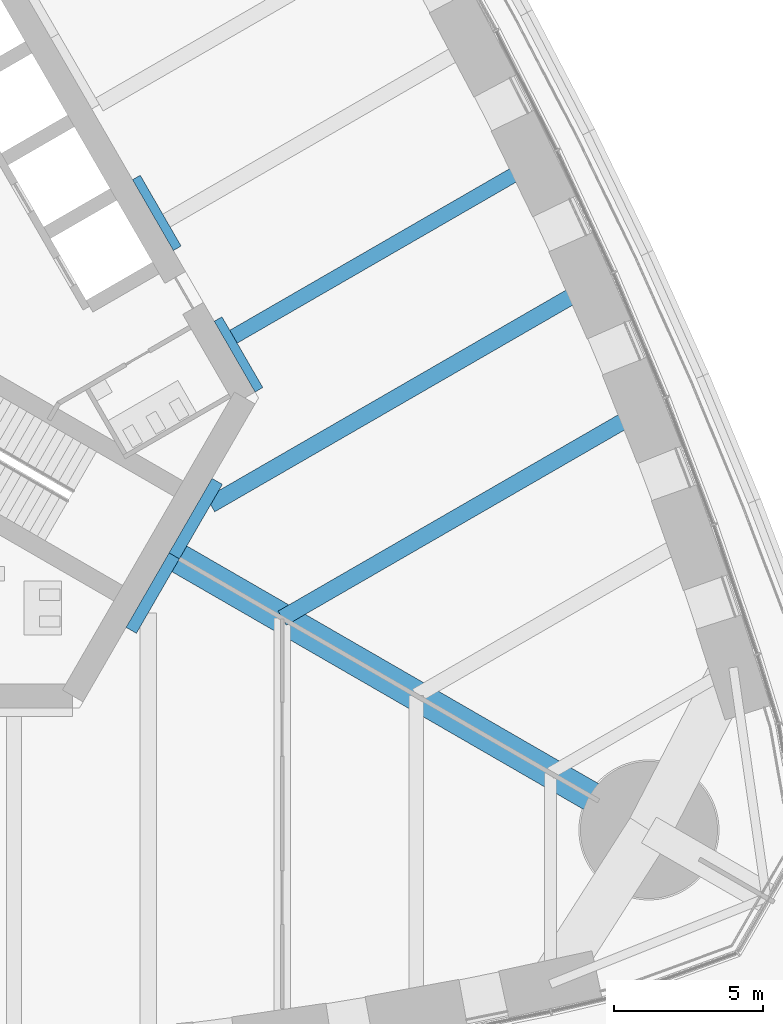
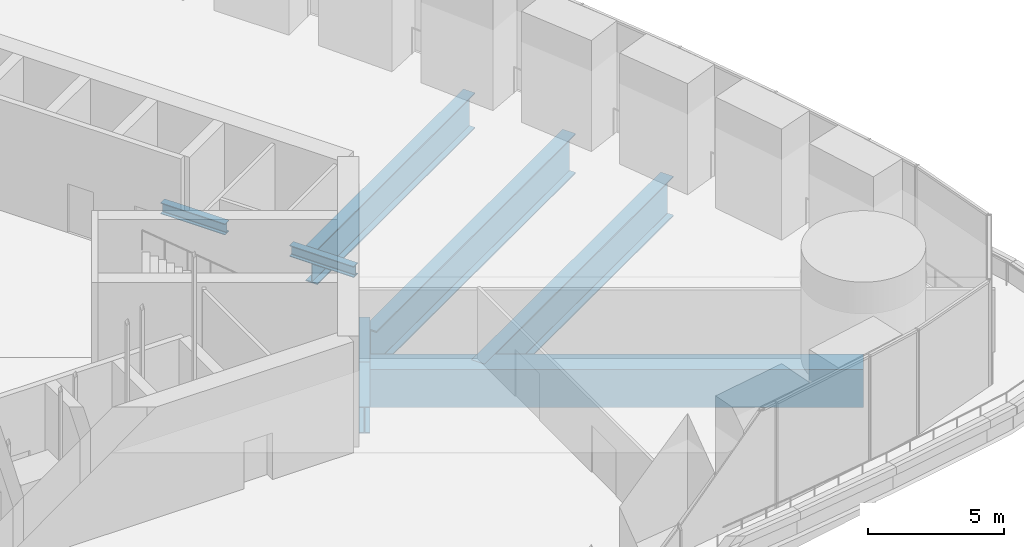
# One storey, part 5 of 33: 8 beams.
"""IFC4 building model written with IfcOpenShell, lengths in metres."""

from ifc_helpers import new_model, si_unit, direction, frame, origin, origin_2d, place, context, subcontext, project, spatial, rectangle, i_section, extrude, material, material_profile, profile_set, type_object, element, save


model = new_model("IFC4")

# Units and contexts
model_context = context("Model", 3, precision=1e-05, world=origin(), true_north=direction((0.0, 1.0)))
body_context = subcontext(model_context, "Body", "Model", "MODEL_VIEW")
ifc_project = project(units=[si_unit("LENGTHUNIT", "METRE"), si_unit("AREAUNIT", "SQUARE_METRE"), si_unit("VOLUMEUNIT", "CUBIC_METRE"), si_unit("PLANEANGLEUNIT", "RADIAN"), si_unit("MASSUNIT", "GRAM", prefix="KILO")], contexts=[model_context])

# Site, building, storey
site_placement = place(None, origin())
site = spatial("IfcSite", under=ifc_project, at=site_placement, CompositionType="ELEMENT")
building_placement = place(site_placement, origin())
building = spatial("IfcBuilding", under=site, at=building_placement, Name="Trefoil Bronze Tower", CompositionType="ELEMENT")
storey_placement = place(building_placement, frame((0.0, 0.0, 98.10009765625)))
storey = spatial("IfcBuildingStorey", under=building, at=storey_placement, Name="L22", CompositionType="ELEMENT", Elevation=98.10009765625)

# Beams
ifc_material_1 = material(Name="Steel C355", Category="steel")
ifc_material_profile_1 = material_profile(ifc_material_1, i_section(OverallWidth=0.300048828125, OverallDepth=0.5, WebThickness=0.014404296875, FlangeThickness=0.028076171875, FilletRadius=0.027099609375, at=origin_2d()), Name="HEB 500")
ifc_profile_set_1 = profile_set([ifc_material_profile_1], Name="Steel C355")
beam_type_1 = type_object("IfcBeamType", Name="Core seat beam HEB 500", PredefinedType="BEAM", material=ifc_profile_set_1)
for number, where, z_axis, x_axis, name in (
    (1, (17.219482421875, -2.72509765625, -0.4501953125), (-0.500035825175, 0.866004719122, 0.0), (-0.866004719122, -0.500035825175, 0.0), "Core seat beam F2/-2 L22"),
    (2, (14.47705078125, 2.02490234375, -0.4501953125), (-0.499969057507, 0.866043267704, 0.0), (-0.866043267704, -0.499969057507, 0.0), "Core seat beam F2/-1 L22"),
):
    element("IfcBeam", number, at=place(storey_placement, frame(where, z_axis=z_axis, x_axis=x_axis)), inside=storey, type_object=beam_type_1, Name=name, PredefinedType="BEAM", context=body_context, shape_type="SweptSolid", body=[
        extrude(i_section(OverallWidth=0.300048828125, OverallDepth=0.5, WebThickness=0.014404296875, FlangeThickness=0.028076171875, FilletRadius=0.027099609375, at=origin_2d()), origin(), (0.0, 0.0, 1.0), 2.742431640625),
    ])
ifc_material_2 = material(Name="Steel C355", Category="steel")
ifc_material_profile_2 = material_profile(ifc_material_2, i_section(OverallWidth=0.39990234375, OverallDepth=1.199951171875, WebThickness=0.02001953125, FlangeThickness=0.0400390625, FilletRadius=0.010009765625, at=origin_2d()), Name="WPG 1200")
ifc_profile_set_2 = profile_set([ifc_material_profile_2], Name="Steel C355")
beam_type_2 = type_object("IfcBeamType", Name="Core seat beam WPG 1200", PredefinedType="BEAM", material=ifc_profile_set_2)
for number, where, z_axis, x_axis, name in (
    (3, (12.9326171875, -10.800048828125, -0.800048828125), (0.499995765644, 0.866027848477, 0.0), (-0.866027848477, 0.499995765644, 0.0), "Core seat beam F1/+3 L22"),
    (4, (14.3759765625, -8.300048828125, -0.800048828125), (0.499995765644, 0.866027848477, 0.0), (-0.866027848477, 0.499995765644, 0.0), "Core seat beam F2/-3 L22"),
):
    element("IfcBeam", number, at=place(storey_placement, frame(where, z_axis=z_axis, x_axis=x_axis)), inside=storey, type_object=beam_type_2, Name=name, PredefinedType="BEAM", context=body_context, shape_type="SweptSolid", body=[
        extrude(i_section(OverallWidth=0.39990234375, OverallDepth=1.199951171875, WebThickness=0.02001953125, FlangeThickness=0.0400390625, FilletRadius=0.010009765625, at=origin_2d()), origin(), (0.0, 0.0, 1.0), 2.88671875),
    ])
ifc_material_3 = material(Name="Concrete B80", Category="concrete")
ifc_material_profile_3 = material_profile(ifc_material_3, rectangle(XDim=1.0, YDim=1.699951171875, at=origin_2d()), Name="RC 1000x1700")
ifc_profile_set_3 = profile_set([ifc_material_profile_3], Name="Concrete B80")
beam_type_3 = type_object("IfcBeamType", Name="Corner girder RC 1000x1700", PredefinedType="BEAM", material=ifc_profile_set_3)
beam_1_placement = place(storey_placement, frame((14.202880859375, -8.199951171875, -1.050048828125), z_axis=(0.866022084834, -0.500005748546, 0.0), x_axis=(0.500005748546, 0.866022084834, 0.0)))
element("IfcBeam", 5, at=beam_1_placement, inside=storey, type_object=beam_type_3, Name="Corner girder K1 L22", PredefinedType="BEAM", context=body_context, shape_type="SweptSolid", body=[
    extrude(rectangle(XDim=1.0, YDim=1.699951171875, at=origin_2d()), origin(), (0.0, 0.0, 1.0), 18.599853515625),
])
ifc_material_4 = material(Name="Steel C355", Category="steel")
ifc_material_profile_4 = material_profile(ifc_material_4, i_section(OverallWidth=0.5, OverallDepth=1.60009765625, WebThickness=0.02587890625, FlangeThickness=0.050048828125, FilletRadius=0.011962890625, at=origin_2d()), Name="WPG 1600")
ifc_profile_set_4 = profile_set([ifc_material_profile_4], Name="Steel C355")
beam_type_4 = type_object("IfcBeamType", Name="Floor beam WPG 1600", PredefinedType="BEAM", material=ifc_profile_set_4)
beam_2_placement = place(storey_placement, frame((26.43017578125, 4.8671875, -1.0), z_axis=(-0.866021531335, -0.500006707218, 0.0), x_axis=(0.500006707218, -0.866021531335, 0.0)))
element("IfcBeam", 6, at=beam_2_placement, inside=storey, type_object=beam_type_4, Name="Floor beam F2/-2 L22", PredefinedType="BEAM", context=body_context, shape_type="SweptSolid", body=[
    extrude(i_section(OverallWidth=0.5, OverallDepth=1.60009765625, WebThickness=0.02587890625, FlangeThickness=0.050048828125, FilletRadius=0.011962890625, at=origin_2d()), origin(), (0.0, 0.0, 1.0), 11.622802734375),
])
ifc_material_5 = material(Name="Steel C355", Category="steel")
ifc_material_profile_5 = material_profile(ifc_material_5, i_section(OverallWidth=0.550048828125, OverallDepth=1.800048828125, WebThickness=0.029052734375, FlangeThickness=0.054931640625, FilletRadius=0.013916015625, at=origin_2d()), Name="WPG 1800")
ifc_profile_set_5 = profile_set([ifc_material_profile_5], Name="Steel C355")
beam_type_5 = type_object("IfcBeamType", Name="Floor beam WPG 1800", PredefinedType="BEAM", material=ifc_profile_set_5)
beam_3_placement = place(storey_placement, frame((30.07666015625, -3.419921875, -1.10009765625), z_axis=(-0.866026983775, -0.499997263366, 0.0), x_axis=(0.499997263366, -0.866026983775, 0.0)))
element("IfcBeam", 7, at=beam_3_placement, inside=storey, type_object=beam_type_5, Name="Floor beam F2/-4 L22", PredefinedType="BEAM", context=body_context, shape_type="SweptSolid", body=[
    extrude(i_section(OverallWidth=0.550048828125, OverallDepth=1.800048828125, WebThickness=0.029052734375, FlangeThickness=0.054931640625, FilletRadius=0.013916015625, at=origin_2d()), origin(), (0.0, 0.0, 1.0), 13.94482421875),
])
beam_4_placement = place(storey_placement, frame((28.325439453125, 0.76513671875, -1.10009765625), z_axis=(-0.866027342682, -0.499996641717, 0.0), x_axis=(0.499996641717, -0.866027342682, 0.0)))
element("IfcBeam", 8, at=beam_4_placement, inside=storey, type_object=beam_type_5, Name="Floor beam F2/-3 L22", PredefinedType="BEAM", context=body_context, shape_type="SweptSolid", body=[
    extrude(i_section(OverallWidth=0.550048828125, OverallDepth=1.800048828125, WebThickness=0.029052734375, FlangeThickness=0.054931640625, FilletRadius=0.013916015625, at=origin_2d()), origin(), (0.0, 0.0, 1.0), 14.69580078125),
])

save(model, "model.ifc")
